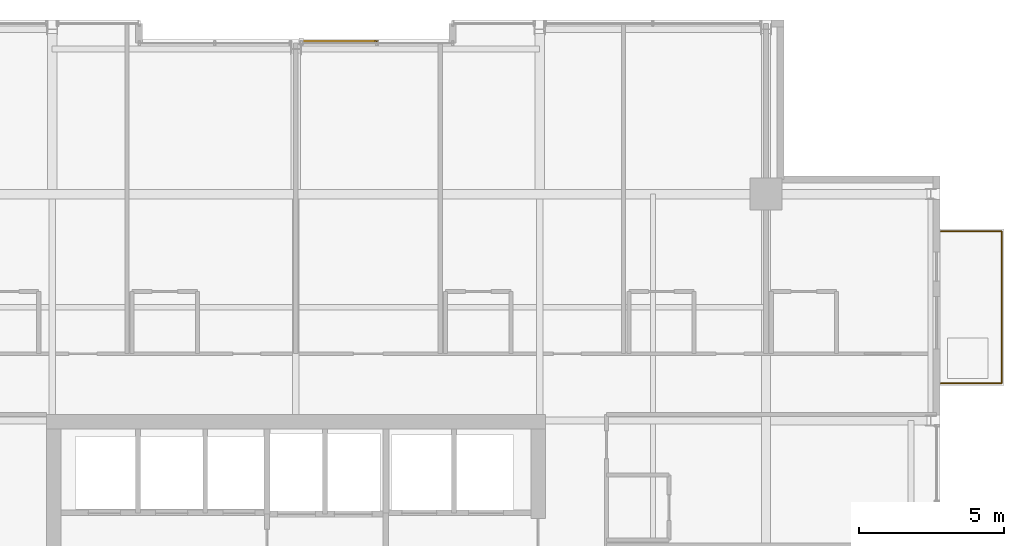
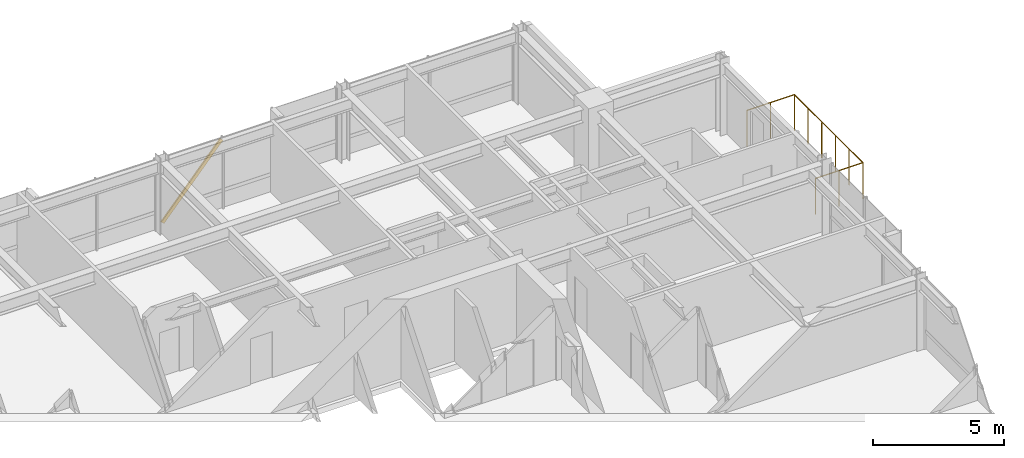
# One storey, part 32 of 32: 1 railing, 1 shading device.
"""IFC4 building model written with IfcOpenShell, lengths in metres."""

from ifc_helpers import new_model, si_unit, direction, frame, origin, origin_2d, place, context, subcontext, project, spatial, hollow_rectangle, circle, extrude, material, material_profile, profile_set, type_object, element, save


model = new_model("IFC4")

# Units and contexts
model_context = context("Model", 3, precision=1e-05, world=origin(), true_north=direction((0.0, 1.0)))
body_context = subcontext(model_context, "Body", "Model", "MODEL_VIEW")
ifc_project = project(units=[si_unit("LENGTHUNIT", "METRE"), si_unit("AREAUNIT", "SQUARE_METRE"), si_unit("VOLUMEUNIT", "CUBIC_METRE"), si_unit("PLANEANGLEUNIT", "RADIAN"), si_unit("MASSUNIT", "GRAM", prefix="KILO")], contexts=[model_context])

# Site, building, storey
site_placement = place(None, origin())
site = spatial("IfcSite", under=ifc_project, at=site_placement, CompositionType="ELEMENT")
building_placement = place(site_placement, origin())
building = spatial("IfcBuilding", under=site, at=building_placement, Name="Drelvath Grand Hotel", CompositionType="ELEMENT")
storey_placement = place(building_placement, frame((0.0, 0.0, 205.10009765625)))
storey = spatial("IfcBuildingStorey", under=building, at=storey_placement, Name="L53", CompositionType="ELEMENT", Elevation=205.10009765625)

# Shading device
ifc_material_1 = material(Name="Platinum-Mist Anodised Aluminium", Category="aluminium")
ifc_material_profile = material_profile(ifc_material_1, hollow_rectangle(XDim=0.06494140625, YDim=0.159912109375, WallThickness=0.00390625, at=origin_2d()), Name="HSS160X65X4")
ifc_profile_set = profile_set([ifc_material_profile], Name="Platinum-Mist Anodised Aluminium")
shading_device_type = type_object("IfcShadingDeviceType", Name="Diagonal Solar Fin Platinum Anodised HSS160X65X4", PredefinedType="USERDEFINED", material=ifc_profile_set)
shading_device_placement = place(storey_placement, frame((0.185302734375, 48.47998046875, 0.179931640625), z_axis=(0.658495877641, 0.0, 0.752584333566), x_axis=(0.0, 1.0, 0.0)))
element("IfcShadingDevice", 1, at=shading_device_placement, inside=storey, type_object=shading_device_type, Name="L53 Diagonal Anodised Fin CW05-L53-NM2", ObjectType="FIN", PredefinedType="USERDEFINED", context=body_context, shape_type="SweptSolid", body=[
    extrude(hollow_rectangle(XDim=0.06494140625, YDim=0.159912109375, WallThickness=0.00390625, at=origin_2d()), origin(), (0.0, 0.0, 1.0), 3.959716796875),
])

# Railing
ifc_material_2 = material(Name="Anodised Aluminium and Laminated Glass Balustrade", Category="aluminium")
railing_type = type_object("IfcRailingType", Name="Raised Planter Edge Balustrade 1700", PredefinedType="BALUSTRADE", material=ifc_material_2)
railing_placement = place(storey_placement, frame((22.219970703125, 36.679931640625, 0.0)))
element("IfcRailing", 2, at=railing_placement, inside=storey, type_object=railing_type, Name="L53 Tree Balcony Perimeter Balustrade 1", PredefinedType="BALUSTRADE", context=body_context, shape_type="SweptSolid", body=[
    extrude(circle(Radius=0.02392578125, at=origin_2d()), frame((0.0, 0.0, 1.67578125), z_axis=(1.0, 0.0, 0.0), x_axis=(0.0, 1.0, 0.0)), (0.0, 0.0, 1.0), 2.10009765625),
    extrude(circle(Radius=0.02392578125, at=origin_2d()), frame((2.10009765625, 0.0, 1.67578125), z_axis=(0.0, 1.0, 0.0), x_axis=(-1.0, 0.0, 0.0)), (0.0, 0.0, 1.0), 5.239990234375),
    extrude(circle(Radius=0.02392578125, at=origin_2d()), frame((2.10009765625, 5.239990234375, 1.67578125), z_axis=(-1.0, 0.0, 0.0), x_axis=(0.0, -1.0, 0.0)), (0.0, 0.0, 1.0), 2.10009765625),
    extrude(circle(Radius=0.02099609375, at=origin_2d()), origin(), (0.0, 0.0, 1.0), 1.65185546875),
    extrude(circle(Radius=0.02099609375, at=origin_2d()), frame((1.050048828125, 0.0, 0.0)), (0.0, 0.0, 1.0), 1.65185546875),
    extrude(circle(Radius=0.02099609375, at=origin_2d()), frame((2.10009765625, 0.0, 0.0)), (0.0, 0.0, 1.0), 1.65185546875),
    extrude(circle(Radius=0.02099609375, at=origin_2d()), frame((2.10009765625, 1.048095703125, 0.0)), (0.0, 0.0, 1.0), 1.65185546875),
    extrude(circle(Radius=0.02099609375, at=origin_2d()), frame((2.10009765625, 2.095947265625, 0.0)), (0.0, 0.0, 1.0), 1.65185546875),
    extrude(circle(Radius=0.02099609375, at=origin_2d()), frame((2.10009765625, 3.14404296875, 0.0)), (0.0, 0.0, 1.0), 1.65185546875),
    extrude(circle(Radius=0.02099609375, at=origin_2d()), frame((2.10009765625, 4.19189453125, 0.0)), (0.0, 0.0, 1.0), 1.65185546875),
    extrude(circle(Radius=0.02099609375, at=origin_2d()), frame((2.10009765625, 5.239990234375, 0.0)), (0.0, 0.0, 1.0), 1.65185546875),
    extrude(circle(Radius=0.02099609375, at=origin_2d()), frame((1.050048828125, 5.239990234375, 0.0)), (0.0, 0.0, 1.0), 1.65185546875),
    extrude(circle(Radius=0.02099609375, at=origin_2d()), frame((0.0, 5.239990234375, 0.0)), (0.0, 0.0, 1.0), 1.65185546875),
])

save(model, "model.ifc")
